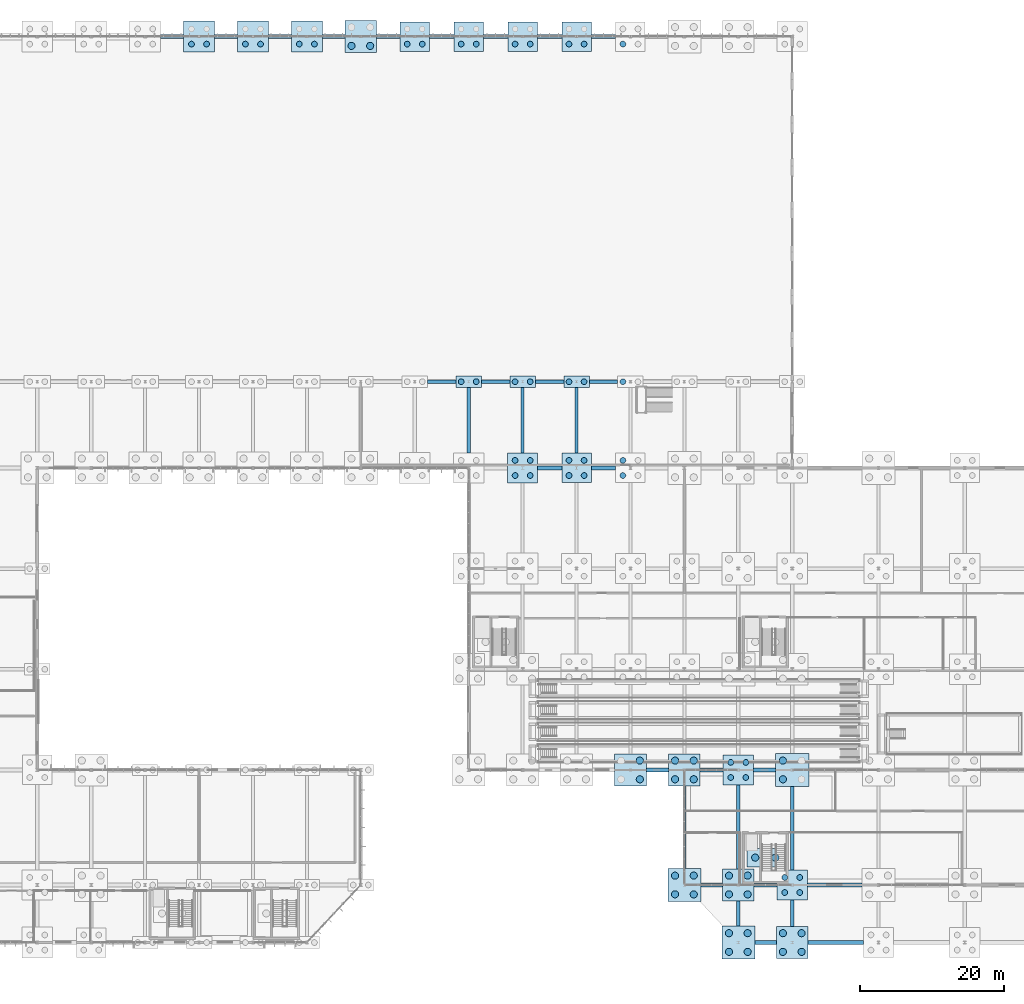
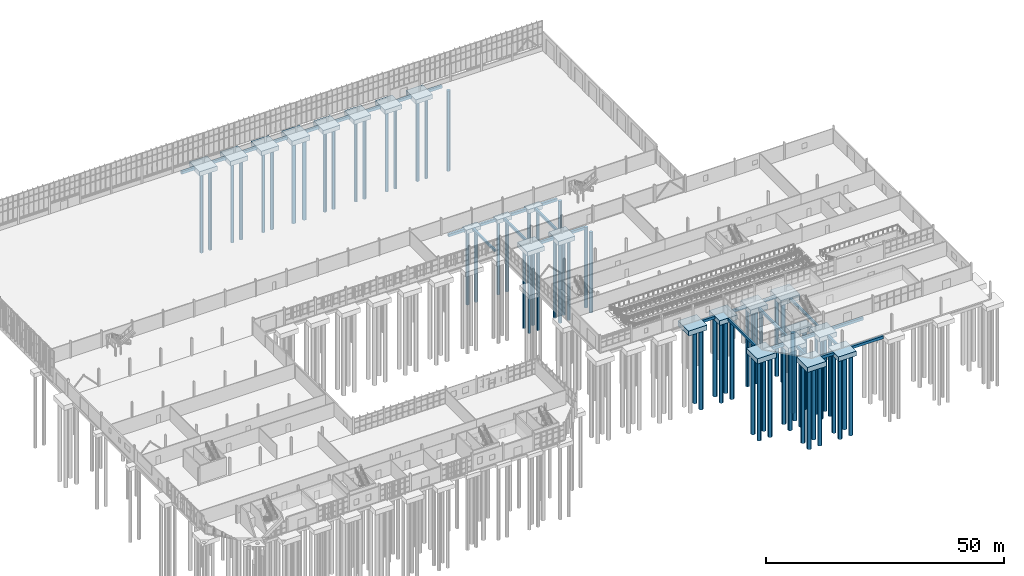
# One storey, part 6 of 136: 68 piles, 54 footings.
"""IFC4 building model written with IfcOpenShell, lengths in metres."""

from ifc_helpers import new_model, si_unit, direction, frame, origin, origin_2d, place, context, subcontext, project, spatial, rectangle, circle, extrude, material, material_profile, profile_set, type_object, element, save


model = new_model("IFC4")

# Units and contexts
model_context = context("Model", 3, precision=1e-05, world=origin(), true_north=direction((0.0, 1.0)))
body_context = subcontext(model_context, "Body", "Model", "MODEL_VIEW")
ifc_project = project(units=[si_unit("LENGTHUNIT", "METRE"), si_unit("AREAUNIT", "SQUARE_METRE"), si_unit("VOLUMEUNIT", "CUBIC_METRE"), si_unit("PLANEANGLEUNIT", "RADIAN"), si_unit("MASSUNIT", "GRAM", prefix="KILO")], contexts=[model_context])

# Site, building, storey
site_placement = place(None, origin())
site = spatial("IfcSite", under=ifc_project, at=site_placement, CompositionType="ELEMENT")
building_placement = place(site_placement, origin())
building = spatial("IfcBuilding", under=site, at=building_placement, Name="Solvenia Promenade Tram Depot", CompositionType="ELEMENT")
storey_placement = place(building_placement, origin())
storey = spatial("IfcBuildingStorey", under=building, at=storey_placement, Name="L00", CompositionType="ELEMENT", Elevation=0.0)

# Footings
ifc_material = material(Name="Concrete C28/35", Category="concrete")
footing_type_1 = type_object("IfcFootingType", Name="Cap-Core-5100x2600", PredefinedType="PAD_FOOTING", material=ifc_material)
footing_1_placement = place(storey_placement, frame((146.25, 11.800048828125, -1.5), z_axis=(0.0, 0.0, 1.0), x_axis=(1.0, 0.0, 0.0)))
element("IfcFooting", 1, at=footing_1_placement, inside=storey, type_object=footing_type_1, Name="Core Foundation Mat C8", PredefinedType="PAD_FOOTING", context=body_context, shape_type="SweptSolid", body=[
    extrude(rectangle(XDim=5.10009765625, YDim=2.60009765625, at=origin_2d()), origin(), (0.0, 0.0, 1.0), 1.199951171875),
])
footing_type_2 = type_object("IfcFootingType", Name="Cap-PC2-3550x1620", PredefinedType="PILE_CAP", material=ifc_material)
for number, where, z_axis, x_axis, name in (
    (2, (105.0, 78.0, -1.320068359375), (0.0, 0.0, 1.0), (1.0, 0.0, 0.0), "Pile Cap CAP-098"),
    (3, (112.5, 78.0, -1.320068359375), (0.0, 0.0, 1.0), (1.0, 0.0, 0.0), "Pile Cap CAP-104"),
    (4, (120.0, 78.0, -1.320068359375), (0.0, 0.0, 1.0), (1.0, 0.0, 0.0), "Pile Cap CAP-110"),
):
    element("IfcFooting", number, at=place(storey_placement, frame(where, z_axis=z_axis, x_axis=x_axis)), inside=storey, type_object=footing_type_2, Name=name, PredefinedType="PILE_CAP", context=body_context, shape_type="SweptSolid", body=[
        extrude(rectangle(XDim=3.550048828125, YDim=1.6201171875, at=origin_2d()), origin(), (0.0, 0.0, 1.0), 1.02001953125),
    ])
footing_type_3 = type_object("IfcFootingType", Name="Cap-PC4-4100", PredefinedType="PILE_CAP", material=ifc_material)
for number, where, z_axis, x_axis, name in (
    (5, (97.5, 126.0, -1.420166015625), (0.0, 0.0, 1.0), (1.0, 0.0, 0.0), "Pile Cap CAP-093"),
    (6, (105.0, 126.0, -1.420166015625), (0.0, 0.0, 1.0), (1.0, 0.0, 0.0), "Pile Cap CAP-099"),
    (7, (112.5, 126.0, -1.420166015625), (0.0, 0.0, 1.0), (1.0, 0.0, 0.0), "Pile Cap CAP-105"),
    (8, (120.0, 66.0, -1.420166015625), (0.0, 0.0, 1.0), (1.0, 0.0, 0.0), "Pile Cap CAP-109"),
    (9, (120.0, 126.0, -1.420166015625), (0.0, 0.0, 1.0), (1.0, 0.0, 0.0), "Pile Cap CAP-111"),
):
    element("IfcFooting", number, at=place(storey_placement, frame(where, z_axis=z_axis, x_axis=x_axis)), inside=storey, type_object=footing_type_3, Name=name, PredefinedType="PILE_CAP", context=body_context, shape_type="SweptSolid", body=[
        extrude(rectangle(XDim=4.10009765625, YDim=4.10009765625, at=origin_2d()), origin(), (0.0, 0.0, 1.0), 1.1201171875),
    ])
footing_type_4 = type_object("IfcFootingType", Name="Cap-PC4-4200", PredefinedType="PILE_CAP", material=ifc_material)
for number, where, z_axis, x_axis, name in (
    (10, (112.5, 66.0, -1.449951171875), (0.0, 0.0, 1.0), (1.0, 0.0, 0.0), "Pile Cap CAP-103"),
    (11, (142.5, 24.0, -1.449951171875), (0.0, 0.0, 1.0), (1.0, 0.0, 0.0), "Pile Cap CAP-127"),
    (12, (150.0, 8.0, -1.449951171875), (0.0, 0.0, 1.0), (1.0, 0.0, 0.0), "Pile Cap CAP-134"),
):
    element("IfcFooting", number, at=place(storey_placement, frame(where, z_axis=z_axis, x_axis=x_axis)), inside=storey, type_object=footing_type_4, Name=name, PredefinedType="PILE_CAP", context=body_context, shape_type="SweptSolid", body=[
        extrude(rectangle(XDim=4.199951171875, YDim=4.199951171875, at=origin_2d()), origin(), (0.0, 0.0, 1.0), 1.14990234375),
    ])
footing_type_5 = type_object("IfcFootingType", Name="Cap-PC4-4300", PredefinedType="PILE_CAP", material=ifc_material)
for number, where, z_axis, x_axis, name in (
    (13, (67.5, 126.0, -1.47998046875), (0.0, 0.0, 1.0), (1.0, 0.0, 0.0), "Pile Cap CAP-073"),
    (14, (75.0, 126.0, -1.47998046875), (0.0, 0.0, 1.0), (1.0, 0.0, 0.0), "Pile Cap CAP-079"),
    (15, (82.5, 126.0, -1.47998046875), (0.0, 0.0, 1.0), (1.0, 0.0, 0.0), "Pile Cap CAP-085"),
):
    element("IfcFooting", number, at=place(storey_placement, frame(where, z_axis=z_axis, x_axis=x_axis)), inside=storey, type_object=footing_type_5, Name=name, PredefinedType="PILE_CAP", context=body_context, shape_type="SweptSolid", body=[
        extrude(rectangle(XDim=4.300048828125, YDim=4.300048828125, at=origin_2d()), origin(), (0.0, 0.0, 1.0), 1.179931640625),
    ])
footing_type_6 = type_object("IfcFootingType", Name="Cap-PC4-4400", PredefinedType="PILE_CAP", material=ifc_material)
for number, where, z_axis, x_axis, name in (
    (16, (90.0, 126.0, -1.52001953125), (0.0, 0.0, 1.0), (1.0, 0.0, 0.0), "Pile Cap CAP-090"),
    (17, (135.0, 24.0, -1.52001953125), (0.0, 0.0, 1.0), (1.0, 0.0, 0.0), "Pile Cap CAP-119"),
    (18, (142.5, 8.0, -1.52001953125), (0.0, 0.0, 1.0), (1.0, 0.0, 0.0), "Pile Cap CAP-126"),
    (19, (150.0, 0.0, -1.52001953125), (0.0, 0.0, 1.0), (1.0, 0.0, 0.0), "Pile Cap CAP-133"),
):
    element("IfcFooting", number, at=place(storey_placement, frame(where, z_axis=z_axis, x_axis=x_axis)), inside=storey, type_object=footing_type_6, Name=name, PredefinedType="PILE_CAP", context=body_context, shape_type="SweptSolid", body=[
        extrude(rectangle(XDim=4.39990234375, YDim=4.39990234375, at=origin_2d()), origin(), (0.0, 0.0, 1.0), 1.219970703125),
    ])
footing_type_7 = type_object("IfcFootingType", Name="Cap-PC4-4500", PredefinedType="PILE_CAP", material=ifc_material)
footing_2_placement = place(storey_placement, frame((127.5, 24.0, -1.56005859375), z_axis=(0.0, 0.0, 1.0), x_axis=(1.0, 0.0, 0.0)))
element("IfcFooting", 20, at=footing_2_placement, inside=storey, type_object=footing_type_7, Name="Pile Cap CAP-112", PredefinedType="PILE_CAP", context=body_context, shape_type="SweptSolid", body=[
    extrude(rectangle(XDim=4.5, YDim=4.5, at=origin_2d()), origin(), (0.0, 0.0, 1.0), 1.260009765625),
])
footing_type_8 = type_object("IfcFootingType", Name="Cap-PC4-4600", PredefinedType="PILE_CAP", material=ifc_material)
for number, where, z_axis, x_axis, name in (
    (21, (135.0, 8.0, -1.60009765625), (0.0, 0.0, 1.0), (1.0, 0.0, 0.0), "Pile Cap CAP-118"),
    (22, (142.5, 0.0, -1.60009765625), (0.0, 0.0, 1.0), (1.0, 0.0, 0.0), "Pile Cap CAP-125"),
    (23, (150.0, 24.0, -1.60009765625), (0.0, 0.0, 1.0), (1.0, 0.0, 0.0), "Pile Cap CAP-135"),
):
    element("IfcFooting", number, at=place(storey_placement, frame(where, z_axis=z_axis, x_axis=x_axis)), inside=storey, type_object=footing_type_8, Name=name, PredefinedType="PILE_CAP", context=body_context, shape_type="SweptSolid", body=[
        extrude(rectangle(XDim=4.60009765625, YDim=4.60009765625, at=origin_2d()), origin(), (0.0, 0.0, 1.0), 1.300048828125),
    ])

# Piles
ifc_material_profile_1 = material_profile(ifc_material, circle(Radius=0.5, at=origin_2d()), Name="D1000", Category="concrete")
ifc_profile_set_1 = profile_set([ifc_material_profile_1], Name="Concrete C28/35")
pile_type_1 = type_object("IfcPileType", Name="Pile-D1000", PredefinedType="BORED", material=ifc_profile_set_1)
for number, where, z_axis, x_axis, name in (
    (24, (88.699951171875, 124.699951171875, -1.419921875), (0.0, 0.0, -1.0), (1.0, 0.0, 0.0), "Bored Pile PILE-090-1"),
    (25, (91.300048828125, 124.699951171875, -1.419921875), (0.0, 0.0, -1.0), (1.0, 0.0, 0.0), "Bored Pile PILE-090-3"),
):
    element("IfcPile", number, at=place(storey_placement, frame(where, z_axis=z_axis, x_axis=x_axis)), inside=storey, type_object=pile_type_1, Name=name, PredefinedType="BORED", context=body_context, shape_type="SweptSolid", body=[
        extrude(circle(Radius=0.5, at=origin_2d()), origin(), (0.0, 0.0, 1.0), 20.580078125),
    ])
for number, where, z_axis, x_axis, name in (
    (26, (128.800048828125, 22.699951171875, -1.4599609375), (0.0, 0.0, -1.0), (1.0, 0.0, 0.0), "Bored Pile PILE-112-3"),
    (27, (128.800048828125, 25.300048828125, -1.4599609375), (0.0, 0.0, -1.0), (1.0, 0.0, 0.0), "Bored Pile PILE-112-4"),
):
    element("IfcPile", number, at=place(storey_placement, frame(where, z_axis=z_axis, x_axis=x_axis)), inside=storey, type_object=pile_type_1, Name=name, PredefinedType="BORED", context=body_context, shape_type="SweptSolid", body=[
        extrude(circle(Radius=0.5, at=origin_2d()), origin(), (0.0, 0.0, 1.0), 20.5400390625),
    ])
for number, where, z_axis, x_axis, name in (
    (28, (133.699951171875, 6.699951171875, -1.5), (0.0, 0.0, -1.0), (1.0, 0.0, 0.0), "Bored Pile PILE-118-1"),
    (29, (133.699951171875, 9.300048828125, -1.5), (0.0, 0.0, -1.0), (1.0, 0.0, 0.0), "Bored Pile PILE-118-2"),
    (30, (136.300048828125, 6.699951171875, -1.5), (0.0, 0.0, -1.0), (1.0, 0.0, 0.0), "Bored Pile PILE-118-3"),
    (31, (136.300048828125, 9.300048828125, -1.5), (0.0, 0.0, -1.0), (1.0, 0.0, 0.0), "Bored Pile PILE-118-4"),
):
    element("IfcPile", number, at=place(storey_placement, frame(where, z_axis=z_axis, x_axis=x_axis)), inside=storey, type_object=pile_type_1, Name=name, PredefinedType="BORED", context=body_context, shape_type="SweptSolid", body=[
        extrude(circle(Radius=0.5, at=origin_2d()), origin(), (0.0, 0.0, 1.0), 20.5),
    ])
for number, where, z_axis, x_axis, name in (
    (32, (133.699951171875, 22.699951171875, -1.419921875), (0.0, 0.0, -1.0), (1.0, 0.0, 0.0), "Bored Pile PILE-119-1"),
    (33, (133.699951171875, 25.300048828125, -1.419921875), (0.0, 0.0, -1.0), (1.0, 0.0, 0.0), "Bored Pile PILE-119-2"),
    (34, (136.300048828125, 22.699951171875, -1.419921875), (0.0, 0.0, -1.0), (1.0, 0.0, 0.0), "Bored Pile PILE-119-3"),
    (35, (136.300048828125, 25.300048828125, -1.419921875), (0.0, 0.0, -1.0), (1.0, 0.0, 0.0), "Bored Pile PILE-119-4"),
):
    element("IfcPile", number, at=place(storey_placement, frame(where, z_axis=z_axis, x_axis=x_axis)), inside=storey, type_object=pile_type_1, Name=name, PredefinedType="BORED", context=body_context, shape_type="SweptSolid", body=[
        extrude(circle(Radius=0.5, at=origin_2d()), origin(), (0.0, 0.0, 1.0), 20.580078125),
    ])
for number, where, z_axis, x_axis, name in (
    (36, (141.199951171875, -1.300048828125, -1.5), (0.0, 0.0, -1.0), (1.0, 0.0, 0.0), "Bored Pile PILE-125-1"),
    (37, (141.199951171875, 1.300048828125, -1.5), (0.0, 0.0, -1.0), (1.0, 0.0, 0.0), "Bored Pile PILE-125-2"),
    (38, (143.800048828125, -1.300048828125, -1.5), (0.0, 0.0, -1.0), (1.0, 0.0, 0.0), "Bored Pile PILE-125-3"),
    (39, (143.800048828125, 1.300048828125, -1.5), (0.0, 0.0, -1.0), (1.0, 0.0, 0.0), "Bored Pile PILE-125-4"),
):
    element("IfcPile", number, at=place(storey_placement, frame(where, z_axis=z_axis, x_axis=x_axis)), inside=storey, type_object=pile_type_1, Name=name, PredefinedType="BORED", context=body_context, shape_type="SweptSolid", body=[
        extrude(circle(Radius=0.5, at=origin_2d()), origin(), (0.0, 0.0, 1.0), 20.5),
    ])
for number, where, z_axis, x_axis, name in (
    (40, (141.199951171875, 6.699951171875, -1.419921875), (0.0, 0.0, -1.0), (1.0, 0.0, 0.0), "Bored Pile PILE-126-1"),
    (41, (141.199951171875, 9.300048828125, -1.419921875), (0.0, 0.0, -1.0), (1.0, 0.0, 0.0), "Bored Pile PILE-126-2"),
    (42, (143.800048828125, 6.699951171875, -1.419921875), (0.0, 0.0, -1.0), (1.0, 0.0, 0.0), "Bored Pile PILE-126-3"),
    (43, (143.800048828125, 9.300048828125, -1.419921875), (0.0, 0.0, -1.0), (1.0, 0.0, 0.0), "Bored Pile PILE-126-4"),
    (44, (148.699951171875, -1.300048828125, -1.419921875), (0.0, 0.0, -1.0), (1.0, 0.0, 0.0), "Bored Pile PILE-133-1"),
    (45, (148.699951171875, 1.300048828125, -1.419921875), (0.0, 0.0, -1.0), (1.0, 0.0, 0.0), "Bored Pile PILE-133-2"),
    (46, (151.300048828125, -1.300048828125, -1.419921875), (0.0, 0.0, -1.0), (1.0, 0.0, 0.0), "Bored Pile PILE-133-3"),
    (47, (151.300048828125, 1.300048828125, -1.419921875), (0.0, 0.0, -1.0), (1.0, 0.0, 0.0), "Bored Pile PILE-133-4"),
):
    element("IfcPile", number, at=place(storey_placement, frame(where, z_axis=z_axis, x_axis=x_axis)), inside=storey, type_object=pile_type_1, Name=name, PredefinedType="BORED", context=body_context, shape_type="SweptSolid", body=[
        extrude(circle(Radius=0.5, at=origin_2d()), origin(), (0.0, 0.0, 1.0), 20.580078125),
    ])
for number, where, z_axis, x_axis, name in (
    (48, (148.699951171875, 22.699951171875, -1.5), (0.0, 0.0, -1.0), (1.0, 0.0, 0.0), "Bored Pile PILE-135-1"),
    (49, (148.699951171875, 25.300048828125, -1.5), (0.0, 0.0, -1.0), (1.0, 0.0, 0.0), "Bored Pile PILE-135-2"),
):
    element("IfcPile", number, at=place(storey_placement, frame(where, z_axis=z_axis, x_axis=x_axis)), inside=storey, type_object=pile_type_1, Name=name, PredefinedType="BORED", context=body_context, shape_type="SweptSolid", body=[
        extrude(circle(Radius=0.5, at=origin_2d()), origin(), (0.0, 0.0, 1.0), 20.5),
    ])
for number, where, z_axis, x_axis, name in (
    (50, (144.85009765625, 11.800048828125, -1.39990234375), (0.0, 0.0, -1.0), (1.0, 0.0, 0.0), "Core Bored Pile PILE-CORE-08-1"),
    (51, (147.64990234375, 11.800048828125, -1.39990234375), (0.0, 0.0, -1.0), (1.0, 0.0, 0.0), "Core Bored Pile PILE-CORE-08-2"),
):
    element("IfcPile", number, at=place(storey_placement, frame(where, z_axis=z_axis, x_axis=x_axis)), inside=storey, type_object=pile_type_1, Name=name, PredefinedType="BORED", context=body_context, shape_type="SweptSolid", body=[
        extrude(circle(Radius=0.5, at=origin_2d()), origin(), (0.0, 0.0, 1.0), 20.60009765625),
    ])
ifc_material_profile_2 = material_profile(ifc_material, circle(Radius=0.39990234375, at=origin_2d()), Name="D800", Category="concrete")
ifc_profile_set_2 = profile_set([ifc_material_profile_2], Name="Concrete C28/35")
pile_type_2 = type_object("IfcPileType", Name="Pile-D800", PredefinedType="BORED", material=ifc_profile_set_2)
for number, where, z_axis, x_axis, name in (
    (52, (66.449951171875, 124.949951171875, -1.3798828125), (0.0, 0.0, -1.0), (1.0, 0.0, 0.0), "Bored Pile PILE-073-1"),
    (53, (68.550048828125, 124.949951171875, -1.3798828125), (0.0, 0.0, -1.0), (1.0, 0.0, 0.0), "Bored Pile PILE-073-3"),
    (54, (73.949951171875, 124.949951171875, -1.3798828125), (0.0, 0.0, -1.0), (1.0, 0.0, 0.0), "Bored Pile PILE-079-1"),
    (55, (76.050048828125, 124.949951171875, -1.3798828125), (0.0, 0.0, -1.0), (1.0, 0.0, 0.0), "Bored Pile PILE-079-3"),
    (56, (81.449951171875, 124.949951171875, -1.3798828125), (0.0, 0.0, -1.0), (1.0, 0.0, 0.0), "Bored Pile PILE-085-1"),
    (57, (83.550048828125, 124.949951171875, -1.3798828125), (0.0, 0.0, -1.0), (1.0, 0.0, 0.0), "Bored Pile PILE-085-3"),
):
    element("IfcPile", number, at=place(storey_placement, frame(where, z_axis=z_axis, x_axis=x_axis)), inside=storey, type_object=pile_type_2, Name=name, PredefinedType="BORED", context=body_context, shape_type="SweptSolid", body=[
        extrude(circle(Radius=0.39990234375, at=origin_2d()), origin(), (0.0, 0.0, 1.0), 20.6201171875),
    ])
for number, where, z_axis, x_axis, name in (
    (58, (96.449951171875, 124.949951171875, -1.320068359375), (0.0, 0.0, -1.0), (1.0, 0.0, 0.0), "Bored Pile PILE-093-1"),
    (59, (98.550048828125, 124.949951171875, -1.320068359375), (0.0, 0.0, -1.0), (1.0, 0.0, 0.0), "Bored Pile PILE-093-3"),
):
    element("IfcPile", number, at=place(storey_placement, frame(where, z_axis=z_axis, x_axis=x_axis)), inside=storey, type_object=pile_type_2, Name=name, PredefinedType="BORED", context=body_context, shape_type="SweptSolid", body=[
        extrude(circle(Radius=0.39990234375, at=origin_2d()), origin(), (0.0, 0.0, 1.0), 20.679931640625),
    ])
for number, where, z_axis, x_axis, name in (
    (60, (103.949951171875, 78.0, -1.219970703125), (0.0, 0.0, -1.0), (1.0, 0.0, 0.0), "Bored Pile PILE-098-1"),
    (61, (106.050048828125, 78.0, -1.219970703125), (0.0, 0.0, -1.0), (1.0, 0.0, 0.0), "Bored Pile PILE-098-2"),
):
    element("IfcPile", number, at=place(storey_placement, frame(where, z_axis=z_axis, x_axis=x_axis)), inside=storey, type_object=pile_type_2, Name=name, PredefinedType="BORED", context=body_context, shape_type="SweptSolid", body=[
        extrude(circle(Radius=0.39990234375, at=origin_2d()), origin(), (0.0, 0.0, 1.0), 18.780029296875),
    ])
for number, where, z_axis, x_axis, name in (
    (62, (103.949951171875, 124.949951171875, -1.320068359375), (0.0, 0.0, -1.0), (1.0, 0.0, 0.0), "Bored Pile PILE-099-1"),
    (63, (106.050048828125, 124.949951171875, -1.320068359375), (0.0, 0.0, -1.0), (1.0, 0.0, 0.0), "Bored Pile PILE-099-3"),
):
    element("IfcPile", number, at=place(storey_placement, frame(where, z_axis=z_axis, x_axis=x_axis)), inside=storey, type_object=pile_type_2, Name=name, PredefinedType="BORED", context=body_context, shape_type="SweptSolid", body=[
        extrude(circle(Radius=0.39990234375, at=origin_2d()), origin(), (0.0, 0.0, 1.0), 20.679931640625),
    ])
for number, where, z_axis, x_axis, name in (
    (64, (111.449951171875, 64.949951171875, -1.35009765625), (0.0, 0.0, -1.0), (1.0, 0.0, 0.0), "Bored Pile PILE-103-1"),
    (65, (111.449951171875, 67.050048828125, -1.35009765625), (0.0, 0.0, -1.0), (1.0, 0.0, 0.0), "Bored Pile PILE-103-2"),
    (66, (113.550048828125, 64.949951171875, -1.35009765625), (0.0, 0.0, -1.0), (1.0, 0.0, 0.0), "Bored Pile PILE-103-3"),
    (67, (113.550048828125, 67.050048828125, -1.35009765625), (0.0, 0.0, -1.0), (1.0, 0.0, 0.0), "Bored Pile PILE-103-4"),
):
    element("IfcPile", number, at=place(storey_placement, frame(where, z_axis=z_axis, x_axis=x_axis)), inside=storey, type_object=pile_type_2, Name=name, PredefinedType="BORED", context=body_context, shape_type="SweptSolid", body=[
        extrude(circle(Radius=0.39990234375, at=origin_2d()), origin(), (0.0, 0.0, 1.0), 20.64990234375),
    ])
for number, where, z_axis, x_axis, name in (
    (68, (111.449951171875, 78.0, -1.219970703125), (0.0, 0.0, -1.0), (1.0, 0.0, 0.0), "Bored Pile PILE-104-1"),
    (69, (113.550048828125, 78.0, -1.219970703125), (0.0, 0.0, -1.0), (1.0, 0.0, 0.0), "Bored Pile PILE-104-2"),
):
    element("IfcPile", number, at=place(storey_placement, frame(where, z_axis=z_axis, x_axis=x_axis)), inside=storey, type_object=pile_type_2, Name=name, PredefinedType="BORED", context=body_context, shape_type="SweptSolid", body=[
        extrude(circle(Radius=0.39990234375, at=origin_2d()), origin(), (0.0, 0.0, 1.0), 18.780029296875),
    ])
for number, where, z_axis, x_axis, name in (
    (70, (111.449951171875, 124.949951171875, -1.320068359375), (0.0, 0.0, -1.0), (1.0, 0.0, 0.0), "Bored Pile PILE-105-1"),
    (71, (113.550048828125, 124.949951171875, -1.320068359375), (0.0, 0.0, -1.0), (1.0, 0.0, 0.0), "Bored Pile PILE-105-3"),
    (72, (118.949951171875, 64.949951171875, -1.320068359375), (0.0, 0.0, -1.0), (1.0, 0.0, 0.0), "Bored Pile PILE-109-1"),
    (73, (118.949951171875, 67.050048828125, -1.320068359375), (0.0, 0.0, -1.0), (1.0, 0.0, 0.0), "Bored Pile PILE-109-2"),
    (74, (121.050048828125, 64.949951171875, -1.320068359375), (0.0, 0.0, -1.0), (1.0, 0.0, 0.0), "Bored Pile PILE-109-3"),
    (75, (121.050048828125, 67.050048828125, -1.320068359375), (0.0, 0.0, -1.0), (1.0, 0.0, 0.0), "Bored Pile PILE-109-4"),
):
    element("IfcPile", number, at=place(storey_placement, frame(where, z_axis=z_axis, x_axis=x_axis)), inside=storey, type_object=pile_type_2, Name=name, PredefinedType="BORED", context=body_context, shape_type="SweptSolid", body=[
        extrude(circle(Radius=0.39990234375, at=origin_2d()), origin(), (0.0, 0.0, 1.0), 20.679931640625),
    ])
for number, where, z_axis, x_axis, name in (
    (76, (118.949951171875, 78.0, -1.219970703125), (0.0, 0.0, -1.0), (1.0, 0.0, 0.0), "Bored Pile PILE-110-1"),
    (77, (121.050048828125, 78.0, -1.219970703125), (0.0, 0.0, -1.0), (1.0, 0.0, 0.0), "Bored Pile PILE-110-2"),
):
    element("IfcPile", number, at=place(storey_placement, frame(where, z_axis=z_axis, x_axis=x_axis)), inside=storey, type_object=pile_type_2, Name=name, PredefinedType="BORED", context=body_context, shape_type="SweptSolid", body=[
        extrude(circle(Radius=0.39990234375, at=origin_2d()), origin(), (0.0, 0.0, 1.0), 18.780029296875),
    ])
for number, where, z_axis, x_axis, name in (
    (78, (118.949951171875, 124.949951171875, -1.320068359375), (0.0, 0.0, -1.0), (1.0, 0.0, 0.0), "Bored Pile PILE-111-1"),
    (79, (121.050048828125, 124.949951171875, -1.320068359375), (0.0, 0.0, -1.0), (1.0, 0.0, 0.0), "Bored Pile PILE-111-3"),
    (80, (126.449951171875, 64.949951171875, -1.320068359375), (0.0, 0.0, -1.0), (1.0, 0.0, 0.0), "Bored Pile PILE-115-1"),
    (81, (126.449951171875, 67.050048828125, -1.320068359375), (0.0, 0.0, -1.0), (1.0, 0.0, 0.0), "Bored Pile PILE-115-2"),
):
    element("IfcPile", number, at=place(storey_placement, frame(where, z_axis=z_axis, x_axis=x_axis)), inside=storey, type_object=pile_type_2, Name=name, PredefinedType="BORED", context=body_context, shape_type="SweptSolid", body=[
        extrude(circle(Radius=0.39990234375, at=origin_2d()), origin(), (0.0, 0.0, 1.0), 20.679931640625),
    ])
pile_1_placement = place(storey_placement, frame((126.449951171875, 78.0, -1.219970703125), z_axis=(0.0, 0.0, -1.0), x_axis=(1.0, 0.0, 0.0)))
element("IfcPile", 82, at=pile_1_placement, inside=storey, type_object=pile_type_2, Name="Bored Pile PILE-116-1", PredefinedType="BORED", context=body_context, shape_type="SweptSolid", body=[
    extrude(circle(Radius=0.39990234375, at=origin_2d()), origin(), (0.0, 0.0, 1.0), 18.780029296875),
])
pile_2_placement = place(storey_placement, frame((126.449951171875, 124.949951171875, -1.320068359375), z_axis=(0.0, 0.0, -1.0), x_axis=(1.0, 0.0, 0.0)))
element("IfcPile", 83, at=pile_2_placement, inside=storey, type_object=pile_type_2, Name="Bored Pile PILE-117-1", PredefinedType="BORED", context=body_context, shape_type="SweptSolid", body=[
    extrude(circle(Radius=0.39990234375, at=origin_2d()), origin(), (0.0, 0.0, 1.0), 20.679931640625),
])
for number, where, z_axis, x_axis, name in (
    (84, (141.449951171875, 22.949951171875, -1.35009765625), (0.0, 0.0, -1.0), (1.0, 0.0, 0.0), "Bored Pile PILE-127-1"),
    (85, (141.449951171875, 25.050048828125, -1.35009765625), (0.0, 0.0, -1.0), (1.0, 0.0, 0.0), "Bored Pile PILE-127-2"),
    (86, (143.550048828125, 22.949951171875, -1.35009765625), (0.0, 0.0, -1.0), (1.0, 0.0, 0.0), "Bored Pile PILE-127-3"),
    (87, (143.550048828125, 25.050048828125, -1.35009765625), (0.0, 0.0, -1.0), (1.0, 0.0, 0.0), "Bored Pile PILE-127-4"),
    (88, (148.949951171875, 6.949951171875, -1.35009765625), (0.0, 0.0, -1.0), (1.0, 0.0, 0.0), "Bored Pile PILE-134-1"),
    (89, (148.949951171875, 9.050048828125, -1.35009765625), (0.0, 0.0, -1.0), (1.0, 0.0, 0.0), "Bored Pile PILE-134-2"),
    (90, (151.050048828125, 6.949951171875, -1.35009765625), (0.0, 0.0, -1.0), (1.0, 0.0, 0.0), "Bored Pile PILE-134-3"),
    (91, (151.050048828125, 9.050048828125, -1.35009765625), (0.0, 0.0, -1.0), (1.0, 0.0, 0.0), "Bored Pile PILE-134-4"),
):
    element("IfcPile", number, at=place(storey_placement, frame(where, z_axis=z_axis, x_axis=x_axis)), inside=storey, type_object=pile_type_2, Name=name, PredefinedType="BORED", context=body_context, shape_type="SweptSolid", body=[
        extrude(circle(Radius=0.39990234375, at=origin_2d()), origin(), (0.0, 0.0, 1.0), 20.64990234375),
    ])

# Footings
footing_type_9 = type_object("IfcFootingType", Name="TieBeam-450x600", PredefinedType="FOOTING_BEAM", material=ifc_material)
for number, where, z_axis, x_axis, name in (
    (92, (105.0, 72.64501953125, -0.900146484375), (0.0, 0.0, 1.0), (1.0, 0.0, 0.0), "Seismic Tie Beam Y-200"),
    (93, (112.5, 72.64501953125, -0.900146484375), (0.0, 0.0, 1.0), (1.0, 0.0, 0.0), "Seismic Tie Beam Y-204"),
):
    element("IfcFooting", number, at=place(storey_placement, frame(where, z_axis=z_axis, x_axis=x_axis)), inside=storey, type_object=footing_type_9, Name=name, PredefinedType="FOOTING_BEAM", context=body_context, shape_type="SweptSolid", body=[
        extrude(rectangle(XDim=0.449951171875, YDim=9.090087890625, at=origin_2d()), origin(), (0.0, 0.0, 1.0), 0.60009765625),
    ])
footing_3_placement = place(storey_placement, frame((120.0, 72.6201171875, -0.900146484375), z_axis=(0.0, 0.0, 1.0), x_axis=(1.0, 0.0, 0.0)))
element("IfcFooting", 94, at=footing_3_placement, inside=storey, type_object=footing_type_9, Name="Seismic Tie Beam Y-208", PredefinedType="FOOTING_BEAM", context=body_context, shape_type="SweptSolid", body=[
    extrude(rectangle(XDim=0.449951171875, YDim=9.139892578125, at=origin_2d()), origin(), (0.0, 0.0, 1.0), 0.60009765625),
])
footing_4_placement = place(storey_placement, frame((135.0, 16.050048828125, -0.900146484375), z_axis=(0.0, 0.0, 1.0), x_axis=(1.0, 0.0, 0.0)))
element("IfcFooting", 95, at=footing_4_placement, inside=storey, type_object=footing_type_9, Name="Seismic Tie Beam Y-213", PredefinedType="FOOTING_BEAM", context=body_context, shape_type="SweptSolid", body=[
    extrude(rectangle(XDim=0.449951171875, YDim=11.5, at=origin_2d()), origin(), (0.0, 0.0, 1.0), 0.60009765625),
])
footing_5_placement = place(storey_placement, frame((142.5, 4.050048828125, -0.900146484375), z_axis=(0.0, 0.0, 1.0), x_axis=(1.0, 0.0, 0.0)))
element("IfcFooting", 96, at=footing_5_placement, inside=storey, type_object=footing_type_9, Name="Seismic Tie Beam Y-218", PredefinedType="FOOTING_BEAM", context=body_context, shape_type="SweptSolid", body=[
    extrude(rectangle(XDim=0.449951171875, YDim=3.5, at=origin_2d()), origin(), (0.0, 0.0, 1.0), 0.60009765625),
])
footing_6_placement = place(storey_placement, frame((142.5, 16.050048828125, -0.900146484375), z_axis=(0.0, 0.0, 1.0), x_axis=(1.0, 0.0, 0.0)))
element("IfcFooting", 97, at=footing_6_placement, inside=storey, type_object=footing_type_9, Name="Seismic Tie Beam Y-219", PredefinedType="FOOTING_BEAM", context=body_context, shape_type="SweptSolid", body=[
    extrude(rectangle(XDim=0.449951171875, YDim=11.699951171875, at=origin_2d()), origin(), (0.0, 0.0, 1.0), 0.60009765625),
])
footing_7_placement = place(storey_placement, frame((150.0, 4.050048828125, -0.900146484375), z_axis=(0.0, 0.0, 1.0), x_axis=(1.0, 0.0, 0.0)))
element("IfcFooting", 98, at=footing_7_placement, inside=storey, type_object=footing_type_9, Name="Seismic Tie Beam Y-224", PredefinedType="FOOTING_BEAM", context=body_context, shape_type="SweptSolid", body=[
    extrude(rectangle(XDim=0.449951171875, YDim=3.699951171875, at=origin_2d()), origin(), (0.0, 0.0, 1.0), 0.60009765625),
])
footing_8_placement = place(storey_placement, frame((150.0, 15.89990234375, -0.900146484375), z_axis=(0.0, 0.0, 1.0), x_axis=(1.0, 0.0, 0.0)))
element("IfcFooting", 99, at=footing_8_placement, inside=storey, type_object=footing_type_9, Name="Seismic Tie Beam Y-225", PredefinedType="FOOTING_BEAM", context=body_context, shape_type="SweptSolid", body=[
    extrude(rectangle(XDim=0.449951171875, YDim=11.60009765625, at=origin_2d()), origin(), (0.0, 0.0, 1.0), 0.60009765625),
])
footing_type_10 = type_object("IfcFootingType", Name="TieBeam-500x700", PredefinedType="FOOTING_BEAM", material=ifc_material)
footing_9_placement = place(storey_placement, frame((146.300048828125, 0.0, -1.0), z_axis=(0.0, 0.0, 1.0), x_axis=(1.0, 0.0, 0.0)))
element("IfcFooting", 100, at=footing_9_placement, inside=storey, type_object=footing_type_10, Name="Seismic Tie Beam X-011", PredefinedType="FOOTING_BEAM", context=body_context, shape_type="SweptSolid", body=[
    extrude(rectangle(XDim=3.0, YDim=0.5, at=origin_2d()), origin(), (0.0, 0.0, 1.0), 0.699951171875),
])
footing_10_placement = place(storey_placement, frame((156.050048828125, 0.0, -1.0), z_axis=(0.0, 0.0, 1.0), x_axis=(1.0, 0.0, 0.0)))
element("IfcFooting", 101, at=footing_10_placement, inside=storey, type_object=footing_type_10, Name="Seismic Tie Beam X-012", PredefinedType="FOOTING_BEAM", context=body_context, shape_type="SweptSolid", body=[
    extrude(rectangle(XDim=7.699951171875, YDim=0.5, at=origin_2d()), origin(), (0.0, 0.0, 1.0), 0.699951171875),
])
footing_11_placement = place(storey_placement, frame((138.800048828125, 8.0, -1.0), z_axis=(0.0, 0.0, 1.0), x_axis=(1.0, 0.0, 0.0)))
element("IfcFooting", 102, at=footing_11_placement, inside=storey, type_object=footing_type_10, Name="Seismic Tie Beam X-027", PredefinedType="FOOTING_BEAM", context=body_context, shape_type="SweptSolid", body=[
    extrude(rectangle(XDim=3.0, YDim=0.5, at=origin_2d()), origin(), (0.0, 0.0, 1.0), 0.699951171875),
])
footing_12_placement = place(storey_placement, frame((146.300048828125, 8.0, -1.0), z_axis=(0.0, 0.0, 1.0), x_axis=(1.0, 0.0, 0.0)))
element("IfcFooting", 103, at=footing_12_placement, inside=storey, type_object=footing_type_10, Name="Seismic Tie Beam X-028", PredefinedType="FOOTING_BEAM", context=body_context, shape_type="SweptSolid", body=[
    extrude(rectangle(XDim=3.199951171875, YDim=0.5, at=origin_2d()), origin(), (0.0, 0.0, 1.0), 0.699951171875),
])
footing_13_placement = place(storey_placement, frame((155.89990234375, 8.0, -1.0), z_axis=(0.0, 0.0, 1.0), x_axis=(1.0, 0.0, 0.0)))
element("IfcFooting", 104, at=footing_13_placement, inside=storey, type_object=footing_type_10, Name="Seismic Tie Beam X-029", PredefinedType="FOOTING_BEAM", context=body_context, shape_type="SweptSolid", body=[
    extrude(rectangle(XDim=7.60009765625, YDim=0.5, at=origin_2d()), origin(), (0.0, 0.0, 1.0), 0.699951171875),
])
footing_14_placement = place(storey_placement, frame((131.27490234375, 24.0, -1.0), z_axis=(0.0, 0.0, 1.0), x_axis=(1.0, 0.0, 0.0)))
element("IfcFooting", 105, at=footing_14_placement, inside=storey, type_object=footing_type_10, Name="Seismic Tie Beam X-047", PredefinedType="FOOTING_BEAM", context=body_context, shape_type="SweptSolid", body=[
    extrude(rectangle(XDim=3.050048828125, YDim=0.5, at=origin_2d()), origin(), (0.0, 0.0, 1.0), 0.699951171875),
])
footing_15_placement = place(storey_placement, frame((138.800048828125, 24.0, -1.0), z_axis=(0.0, 0.0, 1.0), x_axis=(1.0, 0.0, 0.0)))
element("IfcFooting", 106, at=footing_15_placement, inside=storey, type_object=footing_type_10, Name="Seismic Tie Beam X-048", PredefinedType="FOOTING_BEAM", context=body_context, shape_type="SweptSolid", body=[
    extrude(rectangle(XDim=3.199951171875, YDim=0.5, at=origin_2d()), origin(), (0.0, 0.0, 1.0), 0.699951171875),
])
footing_16_placement = place(storey_placement, frame((146.14990234375, 24.0, -1.0), z_axis=(0.0, 0.0, 1.0), x_axis=(1.0, 0.0, 0.0)))
element("IfcFooting", 107, at=footing_16_placement, inside=storey, type_object=footing_type_10, Name="Seismic Tie Beam X-049", PredefinedType="FOOTING_BEAM", context=body_context, shape_type="SweptSolid", body=[
    extrude(rectangle(XDim=3.10009765625, YDim=0.5, at=origin_2d()), origin(), (0.0, 0.0, 1.0), 0.699951171875),
])
footing_17_placement = place(storey_placement, frame((116.27490234375, 66.0, -1.0), z_axis=(0.0, 0.0, 1.0), x_axis=(1.0, 0.0, 0.0)))
element("IfcFooting", 108, at=footing_17_placement, inside=storey, type_object=footing_type_10, Name="Seismic Tie Beam X-098", PredefinedType="FOOTING_BEAM", context=body_context, shape_type="SweptSolid", body=[
    extrude(rectangle(XDim=3.35009765625, YDim=0.5, at=origin_2d()), origin(), (0.0, 0.0, 1.0), 0.699951171875),
])
footing_18_placement = place(storey_placement, frame((123.75, 66.0, -1.0), z_axis=(0.0, 0.0, 1.0), x_axis=(1.0, 0.0, 0.0)))
element("IfcFooting", 109, at=footing_18_placement, inside=storey, type_object=footing_type_10, Name="Seismic Tie Beam X-099", PredefinedType="FOOTING_BEAM", context=body_context, shape_type="SweptSolid", body=[
    extrude(rectangle(XDim=3.39990234375, YDim=0.5, at=origin_2d()), origin(), (0.0, 0.0, 1.0), 0.699951171875),
])
for number, where, z_axis, x_axis, name in (
    (110, (101.25, 78.0, -1.0), (0.0, 0.0, 1.0), (1.0, 0.0, 0.0), "Seismic Tie Beam X-119"),
    (111, (108.75, 78.0, -1.0), (0.0, 0.0, 1.0), (1.0, 0.0, 0.0), "Seismic Tie Beam X-120"),
    (112, (116.25, 78.0, -1.0), (0.0, 0.0, 1.0), (1.0, 0.0, 0.0), "Seismic Tie Beam X-121"),
    (113, (123.75, 78.0, -1.0), (0.0, 0.0, 1.0), (1.0, 0.0, 0.0), "Seismic Tie Beam X-122"),
):
    element("IfcFooting", number, at=place(storey_placement, frame(where, z_axis=z_axis, x_axis=x_axis)), inside=storey, type_object=footing_type_10, Name=name, PredefinedType="FOOTING_BEAM", context=body_context, shape_type="SweptSolid", body=[
        extrude(rectangle(XDim=3.949951171875, YDim=0.5, at=origin_2d()), origin(), (0.0, 0.0, 1.0), 0.699951171875),
    ])
for number, where, z_axis, x_axis, name in (
    (114, (63.75, 126.0, -1.0), (0.0, 0.0, 1.0), (1.0, 0.0, 0.0), "Seismic Tie Beam X-126"),
    (115, (71.25, 126.0, -1.0), (0.0, 0.0, 1.0), (1.0, 0.0, 0.0), "Seismic Tie Beam X-127"),
    (116, (78.75, 126.0, -1.0), (0.0, 0.0, 1.0), (1.0, 0.0, 0.0), "Seismic Tie Beam X-128"),
):
    element("IfcFooting", number, at=place(storey_placement, frame(where, z_axis=z_axis, x_axis=x_axis)), inside=storey, type_object=footing_type_10, Name=name, PredefinedType="FOOTING_BEAM", context=body_context, shape_type="SweptSolid", body=[
        extrude(rectangle(XDim=3.199951171875, YDim=0.5, at=origin_2d()), origin(), (0.0, 0.0, 1.0), 0.699951171875),
    ])
footing_19_placement = place(storey_placement, frame((86.22509765625, 126.0, -1.0), z_axis=(0.0, 0.0, 1.0), x_axis=(1.0, 0.0, 0.0)))
element("IfcFooting", 117, at=footing_19_placement, inside=storey, type_object=footing_type_10, Name="Seismic Tie Beam X-129", PredefinedType="FOOTING_BEAM", context=body_context, shape_type="SweptSolid", body=[
    extrude(rectangle(XDim=3.14990234375, YDim=0.5, at=origin_2d()), origin(), (0.0, 0.0, 1.0), 0.699951171875),
])
footing_20_placement = place(storey_placement, frame((93.824951171875, 126.0, -1.0), z_axis=(0.0, 0.0, 1.0), x_axis=(1.0, 0.0, 0.0)))
element("IfcFooting", 118, at=footing_20_placement, inside=storey, type_object=footing_type_10, Name="Seismic Tie Beam X-130", PredefinedType="FOOTING_BEAM", context=body_context, shape_type="SweptSolid", body=[
    extrude(rectangle(XDim=3.25, YDim=0.5, at=origin_2d()), origin(), (0.0, 0.0, 1.0), 0.699951171875),
])
for number, where, z_axis, x_axis, name in (
    (119, (101.25, 126.0, -1.0), (0.0, 0.0, 1.0), (1.0, 0.0, 0.0), "Seismic Tie Beam X-131"),
    (120, (108.75, 126.0, -1.0), (0.0, 0.0, 1.0), (1.0, 0.0, 0.0), "Seismic Tie Beam X-132"),
    (121, (116.25, 126.0, -1.0), (0.0, 0.0, 1.0), (1.0, 0.0, 0.0), "Seismic Tie Beam X-133"),
    (122, (123.75, 126.0, -1.0), (0.0, 0.0, 1.0), (1.0, 0.0, 0.0), "Seismic Tie Beam X-134"),
):
    element("IfcFooting", number, at=place(storey_placement, frame(where, z_axis=z_axis, x_axis=x_axis)), inside=storey, type_object=footing_type_10, Name=name, PredefinedType="FOOTING_BEAM", context=body_context, shape_type="SweptSolid", body=[
        extrude(rectangle(XDim=3.39990234375, YDim=0.5, at=origin_2d()), origin(), (0.0, 0.0, 1.0), 0.699951171875),
    ])

save(model, "model.ifc")
